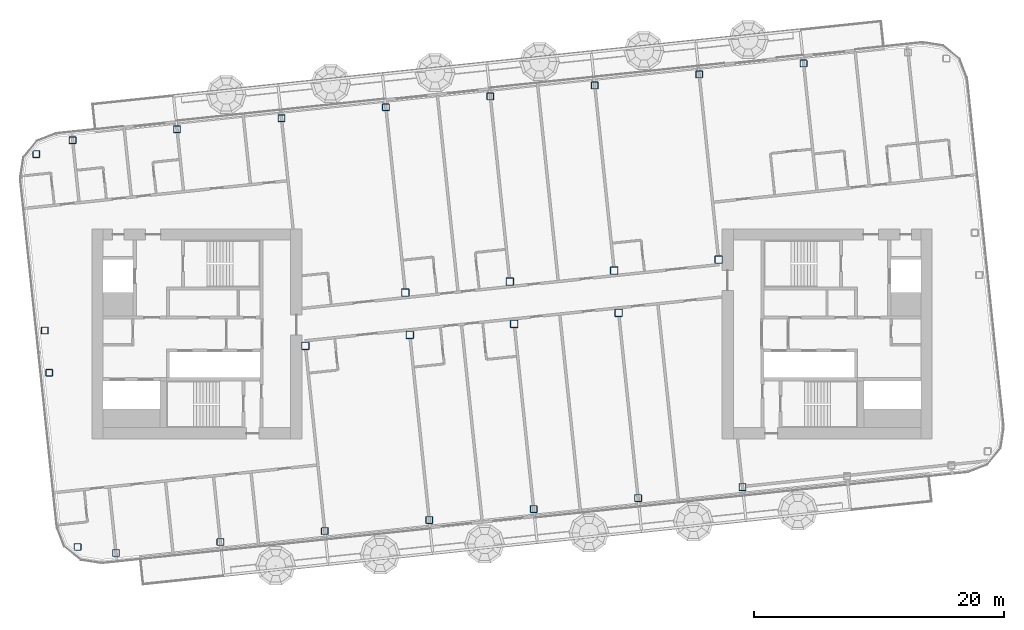
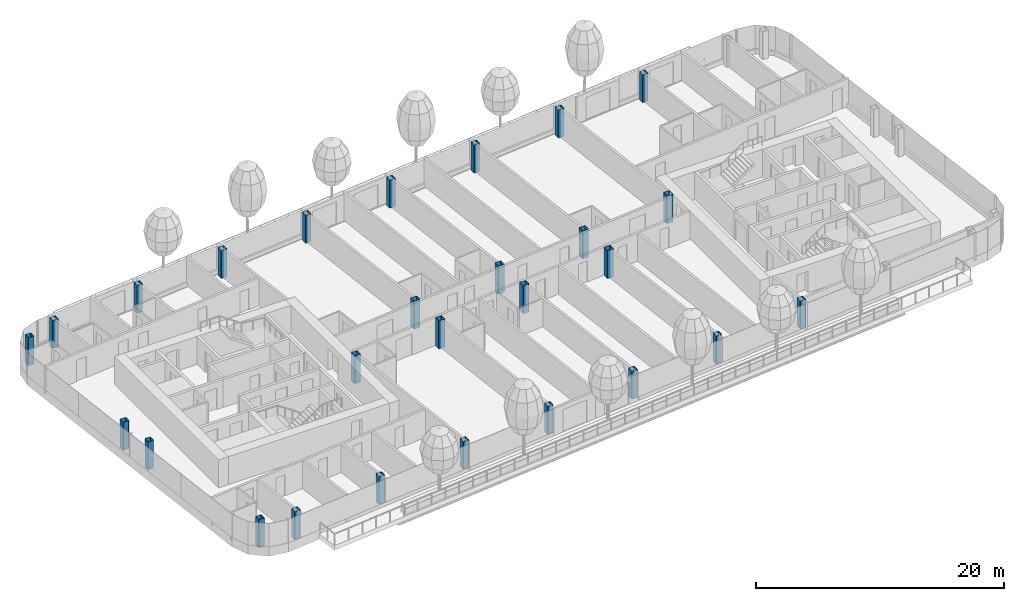
# One storey, part 1 of 30: 27 columns.
"""IFC4 building model written with IfcOpenShell, lengths in metres."""

from ifc_helpers import new_model, si_unit, direction, frame, origin, origin_2d, place, context, subcontext, project, spatial, hollow_rectangle, extrude, material, material_profile, profile_set, type_object, element, save


model = new_model("IFC4")

# Units and contexts
model_context = context("Model", 3, precision=1e-05, world=origin(), true_north=direction((0.0, 1.0)))
body_context = subcontext(model_context, "Body", "Model", "MODEL_VIEW")
ifc_project = project(units=[si_unit("LENGTHUNIT", "METRE"), si_unit("AREAUNIT", "SQUARE_METRE"), si_unit("VOLUMEUNIT", "CUBIC_METRE"), si_unit("PLANEANGLEUNIT", "RADIAN"), si_unit("MASSUNIT", "GRAM", prefix="KILO")], contexts=[model_context])

# Site, building, storey
site_placement = place(None, origin())
site = spatial("IfcSite", under=ifc_project, at=site_placement, CompositionType="ELEMENT")
building_placement = place(site_placement, origin())
building = spatial("IfcBuilding", under=site, at=building_placement, Name="Hakoniwa Tower and Hamabe Station Hall", CompositionType="ELEMENT")
storey_placement = place(building_placement, frame((0.0, 0.0, 245.39990234375)))
storey = spatial("IfcBuildingStorey", under=building, at=storey_placement, Name="L69", CompositionType="ELEMENT", Elevation=245.39990234375)

# Columns
ifc_material_1 = material(Name="Steel BCP325", Category="steel")
ifc_material_profile_1 = material_profile(ifc_material_1, hollow_rectangle(XDim=0.550048828125, YDim=0.550048828125, WallThickness=0.02197265625, InnerFilletRadius=0.032958984375, OuterFilletRadius=0.054931640625, at=origin_2d()), Name="BCP-550x550x22")
ifc_profile_set_1 = profile_set([ifc_material_profile_1], Name="Steel BCP325")
column_type_1 = type_object("IfcColumnType", Name="COLUMN BCP-550x550x22", PredefinedType="COLUMN", material=ifc_profile_set_1)
for number, where, z_axis, x_axis, name in (
    (1, (-34.750732421875, -17.04248046875, 0.0), (0.0, 0.0, 1.0), (1.0, 0.0, 0.0), "Column B5-EW-A5"),
    (2, (-37.017333984375, -3.10009765625, 0.0), (0.0, 0.0, 1.0), (1.0, 0.0, 0.0), "Column B5-EW-C5"),
    (3, (-37.372802734375, 0.28125, 0.0), (0.0, 0.0, 1.0), (1.0, 0.0, 0.0), "Column B5-EW-D5"),
    (4, (-38.054443359375, 14.390380859375, 0.0), (0.0, 0.0, 1.0), (1.0, 0.0, 0.0), "Column B5-EW-F5"),
    (5, (-31.680908203125, -17.521240234375, 0.0), (0.0, 0.0, 1.0), (1.0, 0.0, 0.0), "Column B5-3-A5"),
    (6, (-35.151123046875, 15.496826171875, 0.0), (0.0, 0.0, 1.0), (1.0, 0.0, 0.0), "Column B5-3-F5"),
    (7, (-23.326904296875, -16.643310546875, 0.0), (0.0, 0.0, 1.0), (1.0, 0.0, 0.0), "Column B5-4-A5"),
    (8, (-26.797119140625, 16.375, 0.0), (0.0, 0.0, 1.0), (1.0, 0.0, 0.0), "Column B5-4-F5"),
    (9, (-14.972900390625, -15.76513671875, 0.0), (0.0, 0.0, 1.0), (1.0, 0.0, 0.0), "Column B5-5-A5"),
    (10, (-18.443115234375, 17.2529296875, 0.0), (0.0, 0.0, 1.0), (1.0, 0.0, 0.0), "Column B5-5-F5"),
    (11, (-6.618896484375, -14.88720703125, 0.0), (0.0, 0.0, 1.0), (1.0, 0.0, 0.0), "Column B5-6-A5"),
    (12, (-10.089111328125, 18.131103515625, 0.0), (0.0, 0.0, 1.0), (1.0, 0.0, 0.0), "Column B5-6-F5"),
    (13, (1.735107421875, -14.009033203125, 0.0), (0.0, 0.0, 1.0), (1.0, 0.0, 0.0), "Column B5-7-A5"),
    (14, (-1.735107421875, 19.009033203125, 0.0), (0.0, 0.0, 1.0), (1.0, 0.0, 0.0), "Column B5-7-F5"),
    (15, (10.089111328125, -13.131103515625, 0.0), (0.0, 0.0, 1.0), (1.0, 0.0, 0.0), "Column B5-8-A5"),
    (16, (6.618896484375, 19.88720703125, 0.0), (0.0, 0.0, 1.0), (1.0, 0.0, 0.0), "Column B5-8-F5"),
    (17, (18.443115234375, -12.2529296875, 0.0), (0.0, 0.0, 1.0), (1.0, 0.0, 0.0), "Column B5-9-A5"),
    (18, (14.972900390625, 20.76513671875, 0.0), (0.0, 0.0, 1.0), (1.0, 0.0, 0.0), "Column B5-9-F5"),
    (19, (23.326904296875, 21.643310546875, 0.0), (0.0, 0.0, 1.0), (1.0, 0.0, 0.0), "Column B5-10-F5"),
):
    element("IfcColumn", number, at=place(storey_placement, frame(where, z_axis=z_axis, x_axis=x_axis)), inside=storey, type_object=column_type_1, Name=name, PredefinedType="COLUMN", context=body_context, shape_type="SweptSolid", body=[
        extrude(hollow_rectangle(XDim=0.550048828125, YDim=0.550048828125, WallThickness=0.02197265625, InnerFilletRadius=0.032958984375, OuterFilletRadius=0.054931640625, at=origin_2d()), origin(), (0.0, 0.0, 1.0), 2.75),
    ])
ifc_material_2 = material(Name="Steel BCP325", Category="steel")
ifc_material_profile_2 = material_profile(ifc_material_2, hollow_rectangle(XDim=0.60009765625, YDim=0.60009765625, WallThickness=0.02490234375, InnerFilletRadius=0.03759765625, OuterFilletRadius=0.0625, at=origin_2d()), Name="BCP-600x600x25")
ifc_profile_set_2 = profile_set([ifc_material_profile_2], Name="Steel BCP325")
column_type_2 = type_object("IfcColumnType", Name="COLUMN BCP-600x600x25", PredefinedType="COLUMN", material=ifc_profile_set_2)
for number, where, z_axis, x_axis, name in (
    (20, (-16.5302734375, -0.94677734375, 0.0), (0.0, 0.0, 1.0), (1.0, 0.0, 0.0), "Column B5-5-C5"),
    (21, (-8.17626953125, -0.068603515625, 0.0), (0.0, 0.0, 1.0), (1.0, 0.0, 0.0), "Column B5-6-C5"),
    (22, (-8.53173828125, 3.3125, 0.0), (0.0, 0.0, 1.0), (1.0, 0.0, 0.0), "Column B5-6-D5"),
    (23, (0.177734375, 0.809326171875, 0.0), (0.0, 0.0, 1.0), (1.0, 0.0, 0.0), "Column B5-7-C5"),
    (24, (-0.177734375, 4.190673828125, 0.0), (0.0, 0.0, 1.0), (1.0, 0.0, 0.0), "Column B5-7-D5"),
    (25, (8.53173828125, 1.6875, 0.0), (0.0, 0.0, 1.0), (1.0, 0.0, 0.0), "Column B5-8-C5"),
    (26, (8.17626953125, 5.068603515625, 0.0), (0.0, 0.0, 1.0), (1.0, 0.0, 0.0), "Column B5-8-D5"),
    (27, (16.5302734375, 5.94677734375, 0.0), (0.0, 0.0, 1.0), (1.0, 0.0, 0.0), "Column B5-9-D5"),
):
    element("IfcColumn", number, at=place(storey_placement, frame(where, z_axis=z_axis, x_axis=x_axis)), inside=storey, type_object=column_type_2, Name=name, PredefinedType="COLUMN", context=body_context, shape_type="SweptSolid", body=[
        extrude(hollow_rectangle(XDim=0.60009765625, YDim=0.60009765625, WallThickness=0.02490234375, InnerFilletRadius=0.03759765625, OuterFilletRadius=0.0625, at=origin_2d()), origin(), (0.0, 0.0, 1.0), 2.75),
    ])

save(model, "model.ifc")
